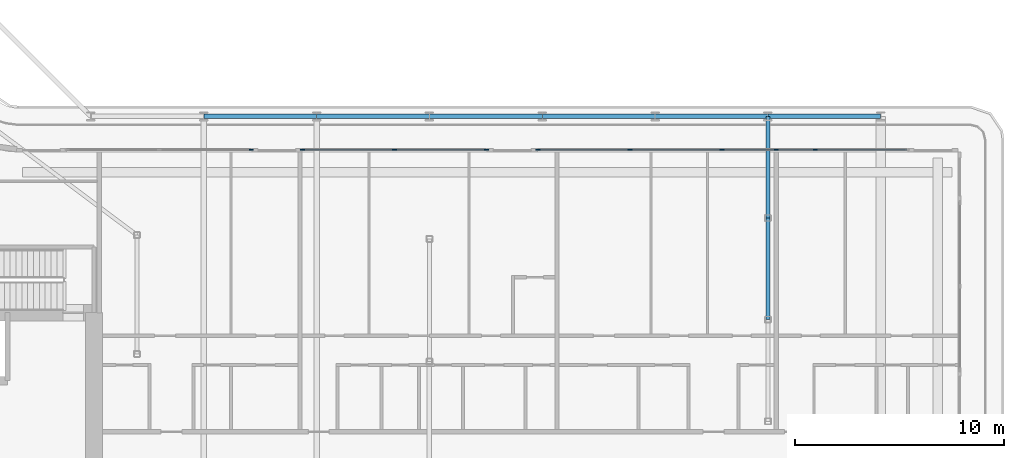
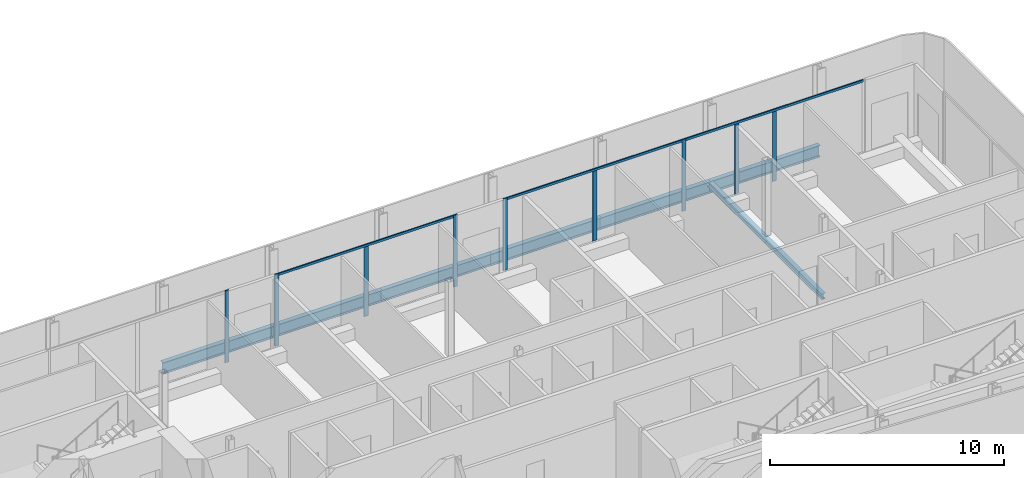
# One storey, part 8 of 29: 12 members, 8 beams, 4 elements without a shape of their own.
"""IFC4 building model written with IfcOpenShell, lengths in metres."""

from ifc_helpers import new_model, si_unit, direction, frame, origin, origin_2d, place, context, subcontext, project, spatial, rectangle, i_section, extrude, material, layer, layer_set, material_profile, profile_set, type_object, element, aggregate, save


model = new_model("IFC4")

# Units and contexts
model_context = context("Model", 3, precision=1e-05, world=origin(), true_north=direction((0.0, 1.0)))
body_context = subcontext(model_context, "Body", "Model", "MODEL_VIEW")
ifc_project = project(units=[si_unit("LENGTHUNIT", "METRE"), si_unit("AREAUNIT", "SQUARE_METRE"), si_unit("VOLUMEUNIT", "CUBIC_METRE"), si_unit("PLANEANGLEUNIT", "RADIAN"), si_unit("MASSUNIT", "GRAM", prefix="KILO")], contexts=[model_context])

# Site, building, storey
site_placement = place(None, origin())
site = spatial("IfcSite", under=ifc_project, at=site_placement, CompositionType="ELEMENT")
building_placement = place(site_placement, origin())
building = spatial("IfcBuilding", under=site, at=building_placement, Name="Kheshtan School and Residences Tower", CompositionType="ELEMENT")
storey_placement = place(building_placement, frame((0.0, 0.0, 168.199951171875)))
storey = spatial("IfcBuildingStorey", under=building, at=storey_placement, Name="L39", CompositionType="ELEMENT", Elevation=168.199951171875)

# Beams
ifc_material_1 = material(Name="Steel ASTM A992 Grade 50", Category="steel")
ifc_material_profile_1 = material_profile(ifc_material_1, i_section(OverallWidth=0.202880859375, OverallDepth=0.302978515625, WebThickness=0.007568359375, FlangeThickness=0.01318359375, FilletRadius=0.009033203125, at=origin_2d()), Name="W310x60")
ifc_profile_set_1 = profile_set([ifc_material_profile_1], Name="Steel ASTM A992 Grade 50")
beam_type_1 = type_object("IfcBeamType", Name="Beam FB1 W310x60 ASTM A992 Grade 50", PredefinedType="BEAM", material=ifc_profile_set_1)
for number, where, z_axis, x_axis, name in (
    (1, (85.39990234375, 45.60009765625, -0.301513671875), (0.0, -1.0, 0.0), (1.0, 0.0, 0.0), "Floor beam C067"),
    (2, (85.39990234375, 40.735107421875, -0.301513671875), (0.0, -1.0, 0.0), (1.0, 0.0, 0.0), "Floor beam IC"),
):
    element("IfcBeam", number, at=place(storey_placement, frame(where, z_axis=z_axis, x_axis=x_axis)), inside=storey, type_object=beam_type_1, Name=name, PredefinedType="BEAM", context=body_context, shape_type="SweptSolid", body=[
        extrude(i_section(OverallWidth=0.202880859375, OverallDepth=0.302978515625, WebThickness=0.007568359375, FlangeThickness=0.01318359375, FilletRadius=0.009033203125, at=origin_2d()), origin(), (0.0, 0.0, 1.0), 4.864990234375),
    ])
ifc_material_profile_2 = material_profile(ifc_material_1, i_section(OverallWidth=0.22802734375, OverallDepth=0.60302734375, WebThickness=0.010498046875, FlangeThickness=0.014892578125, FilletRadius=0.013427734375, at=origin_2d()), Name="W610x101")
ifc_profile_set_2 = profile_set([ifc_material_profile_2], Name="Steel ASTM A992 Grade 50")
beam_type_2 = type_object("IfcBeamType", Name="Beam SP2 W610x101 ASTM A992 Grade 50", PredefinedType="BEAM", material=ifc_profile_set_2)
beam_1_placement = place(storey_placement, frame((58.39990234375, 45.60009765625, -0.451416015625), z_axis=(1.0, 0.0, 0.0), x_axis=(0.0, 1.0, 0.0)))
element("IfcBeam", 3, at=beam_1_placement, inside=storey, type_object=beam_type_2, Name="Spandrel beam C062-C063", PredefinedType="BEAM", context=body_context, shape_type="SweptSolid", body=[
    extrude(i_section(OverallWidth=0.22802734375, OverallDepth=0.60302734375, WebThickness=0.010498046875, FlangeThickness=0.014892578125, FilletRadius=0.013427734375, at=origin_2d()), origin(), (0.0, 0.0, 1.0), 5.400146484375),
])
beam_2_placement = place(storey_placement, frame((63.800048828125, 45.60009765625, -0.451416015625), z_axis=(1.0, 0.0, 0.0), x_axis=(0.0, 1.0, 0.0)))
element("IfcBeam", 4, at=beam_2_placement, inside=storey, type_object=beam_type_2, Name="Spandrel beam C063-C064", PredefinedType="BEAM", context=body_context, shape_type="SweptSolid", body=[
    extrude(i_section(OverallWidth=0.22802734375, OverallDepth=0.60302734375, WebThickness=0.010498046875, FlangeThickness=0.014892578125, FilletRadius=0.013427734375, at=origin_2d()), origin(), (0.0, 0.0, 1.0), 5.39990234375),
])
beam_3_placement = place(storey_placement, frame((69.199951171875, 45.60009765625, -0.451416015625), z_axis=(1.0, 0.0, 0.0), x_axis=(0.0, 1.0, 0.0)))
element("IfcBeam", 5, at=beam_3_placement, inside=storey, type_object=beam_type_2, Name="Spandrel beam C064-C065", PredefinedType="BEAM", context=body_context, shape_type="SweptSolid", body=[
    extrude(i_section(OverallWidth=0.22802734375, OverallDepth=0.60302734375, WebThickness=0.010498046875, FlangeThickness=0.014892578125, FilletRadius=0.013427734375, at=origin_2d()), origin(), (0.0, 0.0, 1.0), 5.400146484375),
])
for number, where, z_axis, x_axis, name in (
    (6, (74.60009765625, 45.60009765625, -0.451416015625), (1.0, 0.0, 0.0), (0.0, 1.0, 0.0), "Spandrel beam C065-C066"),
    (7, (80.0, 45.60009765625, -0.451416015625), (1.0, 0.0, 0.0), (0.0, 1.0, 0.0), "Spandrel beam C066-C067"),
):
    element("IfcBeam", number, at=place(storey_placement, frame(where, z_axis=z_axis, x_axis=x_axis)), inside=storey, type_object=beam_type_2, Name=name, PredefinedType="BEAM", context=body_context, shape_type="SweptSolid", body=[
        extrude(i_section(OverallWidth=0.22802734375, OverallDepth=0.60302734375, WebThickness=0.010498046875, FlangeThickness=0.014892578125, FilletRadius=0.013427734375, at=origin_2d()), origin(), (0.0, 0.0, 1.0), 5.39990234375),
    ])
beam_4_placement = place(storey_placement, frame((85.39990234375, 45.60009765625, -0.451416015625), z_axis=(1.0, 0.0, 0.0), x_axis=(0.0, 1.0, 0.0)))
element("IfcBeam", 8, at=beam_4_placement, inside=storey, type_object=beam_type_2, Name="Spandrel beam C067-C068", PredefinedType="BEAM", context=body_context, shape_type="SweptSolid", body=[
    extrude(i_section(OverallWidth=0.22802734375, OverallDepth=0.60302734375, WebThickness=0.010498046875, FlangeThickness=0.014892578125, FilletRadius=0.013427734375, at=origin_2d()), origin(), (0.0, 0.0, 1.0), 5.400146484375),
])

# Curtain wall, member
ifc_material_2 = material(Name="Clear low-e glass in thermally broken aluminium frame", Category="aluminium")
ifc_layer = layer(ifc_material_2, 0.199951171875)
ifc_layer_set = layer_set([ifc_layer], Name="Curtain wall CW-L")
curtain_wall_type = type_object("IfcCurtainWallType", Name="Curtain wall CW-L", PredefinedType="NOTDEFINED", material=ifc_layer_set)
curtain_wall_1_placement = place(storey_placement, origin())
curtain_wall_1 = element("IfcCurtainWall", 9, at=curtain_wall_1_placement, inside=storey, type_object=curtain_wall_type, Name="Curtain wall CWL12f", PredefinedType="NOTDEFINED")
ifc_material_3 = material(Name="Thermally broken aluminium, dark bronze anodised", Category="aluminium")
ifc_material_profile_3 = material_profile(ifc_material_3, rectangle(XDim=0.06005859375, YDim=0.199951171875, at=origin_2d()), Name="CW-L mullion 60x200")
ifc_profile_set_3 = profile_set([ifc_material_profile_3], Name="Thermally broken aluminium, dark bronze anodised")
member_type_1 = type_object("IfcMemberType", Name="CW-L mullion 60x200", PredefinedType="MULLION", material=ifc_profile_set_3)
member_1_placement = place(storey_placement, frame((60.66748046875, 44.0, 0.0), z_axis=(0.0, 0.0, 1.0), x_axis=(0.0, 1.0, 0.0)))
member_1 = element("IfcMember", 10, at=member_1_placement, type_object=member_type_1, Name="CWL12f mullion 3", PredefinedType="MULLION", context=body_context, shape_type="SweptSolid", body=[
    extrude(rectangle(XDim=0.06005859375, YDim=0.199951171875, at=origin_2d()), origin(), (0.0, 0.0, 1.0), 3.75),
])
aggregate(curtain_wall_1, [member_1])

# Curtain wall, members
curtain_wall_2_placement = place(storey_placement, origin())
curtain_wall_2 = element("IfcCurtainWall", 11, at=curtain_wall_2_placement, inside=storey, type_object=curtain_wall_type, Name="Curtain wall CWL12f", PredefinedType="NOTDEFINED")
member_2_placement = place(storey_placement, frame((63.12744140625, 44.0, 0.0), z_axis=(0.0, 0.0, 1.0), x_axis=(0.0, 1.0, 0.0)))
member_2 = element("IfcMember", 12, at=member_2_placement, type_object=member_type_1, Name="CWL12f mullion 1", PredefinedType="MULLION", context=body_context, shape_type="SweptSolid", body=[
    extrude(rectangle(XDim=0.06005859375, YDim=0.199951171875, at=origin_2d()), origin(), (0.0, 0.0, 1.0), 3.75),
])
member_3_placement = place(storey_placement, frame((67.53125, 44.0, 0.0), z_axis=(0.0, 0.0, 1.0), x_axis=(0.0, 1.0, 0.0)))
member_3 = element("IfcMember", 13, at=member_3_placement, type_object=member_type_1, Name="CWL12f mullion 2", PredefinedType="MULLION", context=body_context, shape_type="SweptSolid", body=[
    extrude(rectangle(XDim=0.06005859375, YDim=0.199951171875, at=origin_2d()), origin(), (0.0, 0.0, 1.0), 3.630126953125),
])
member_4_placement = place(storey_placement, frame((71.93505859375, 44.0, 0.0), z_axis=(0.0, 0.0, 1.0), x_axis=(0.0, 1.0, 0.0)))
member_4 = element("IfcMember", 14, at=member_4_placement, type_object=member_type_1, Name="CWL12f mullion 3", PredefinedType="MULLION", context=body_context, shape_type="SweptSolid", body=[
    extrude(rectangle(XDim=0.06005859375, YDim=0.199951171875, at=origin_2d()), origin(), (0.0, 0.0, 1.0), 3.75),
])

curtain_wall_3_placement = place(storey_placement, origin())
curtain_wall_3 = element("IfcCurtainWall", 15, at=curtain_wall_3_placement, inside=storey, type_object=curtain_wall_type, Name="Curtain wall CWL12f", PredefinedType="NOTDEFINED")
member_5_placement = place(storey_placement, frame((74.39501953125, 44.0, 0.0), z_axis=(0.0, 0.0, 1.0), x_axis=(0.0, 1.0, 0.0)))
member_5 = element("IfcMember", 16, at=member_5_placement, type_object=member_type_1, Name="CWL12f mullion 1", PredefinedType="MULLION", context=body_context, shape_type="SweptSolid", body=[
    extrude(rectangle(XDim=0.06005859375, YDim=0.199951171875, at=origin_2d()), origin(), (0.0, 0.0, 1.0), 3.75),
])
member_6_placement = place(storey_placement, frame((78.798828125, 44.0, 0.0), z_axis=(0.0, 0.0, 1.0), x_axis=(0.0, 1.0, 0.0)))
member_6 = element("IfcMember", 17, at=member_6_placement, type_object=member_type_1, Name="CWL12f mullion 2", PredefinedType="MULLION", context=body_context, shape_type="SweptSolid", body=[
    extrude(rectangle(XDim=0.06005859375, YDim=0.199951171875, at=origin_2d()), origin(), (0.0, 0.0, 1.0), 3.630126953125),
])
member_7_placement = place(storey_placement, frame((83.202392578125, 44.0, 0.0), z_axis=(0.0, 0.0, 1.0), x_axis=(0.0, 1.0, 0.0)))
member_7 = element("IfcMember", 18, at=member_7_placement, type_object=member_type_1, Name="CWL12f mullion 3", PredefinedType="MULLION", context=body_context, shape_type="SweptSolid", body=[
    extrude(rectangle(XDim=0.06005859375, YDim=0.199951171875, at=origin_2d()), origin(), (0.0, 0.0, 1.0), 3.75),
])

curtain_wall_4_placement = place(storey_placement, origin())
curtain_wall_4 = element("IfcCurtainWall", 19, at=curtain_wall_4_placement, inside=storey, type_object=curtain_wall_type, Name="Curtain wall CWL12y", PredefinedType="NOTDEFINED")
member_8_placement = place(storey_placement, frame((85.800048828125, 44.0, 0.0), z_axis=(0.0, 0.0, 1.0), x_axis=(0.0, 1.0, 0.0)))
member_8 = element("IfcMember", 20, at=member_8_placement, type_object=member_type_1, Name="CWL12y mullion 2", PredefinedType="MULLION", context=body_context, shape_type="SweptSolid", body=[
    extrude(rectangle(XDim=0.06005859375, YDim=0.199951171875, at=origin_2d()), origin(), (0.0, 0.0, 1.0), 3.630126953125),
])
member_9_placement = place(storey_placement, frame((87.666259765625, 44.0, 0.0), z_axis=(0.0, 0.0, 1.0), x_axis=(0.0, 1.0, 0.0)))
member_9 = element("IfcMember", 21, at=member_9_placement, type_object=member_type_1, Name="CWL12y mullion 3", PredefinedType="MULLION", context=body_context, shape_type="SweptSolid", body=[
    extrude(rectangle(XDim=0.06005859375, YDim=0.199951171875, at=origin_2d()), origin(), (0.0, 0.0, 1.0), 3.630126953125),
])

# Member
ifc_material_profile_4 = material_profile(ifc_material_3, rectangle(XDim=0.06005859375, YDim=0.1201171875, at=origin_2d()), Name="CW-L transom 60x120")
ifc_profile_set_4 = profile_set([ifc_material_profile_4], Name="Thermally broken aluminium, dark bronze anodised")
member_type_2 = type_object("IfcMemberType", Name="CW-L transom 60x120", PredefinedType="USERDEFINED", material=ifc_profile_set_4)
member_10_placement = place(storey_placement, frame((63.157470703125, 44.0, 3.68994140625), z_axis=(1.0, 0.0, 0.0), x_axis=(0.0, 1.0, 0.0)))
member_10 = element("IfcMember", 22, at=member_10_placement, type_object=member_type_2, Name="CWL12f transom 1", ObjectType="TRANSOM", PredefinedType="USERDEFINED", context=body_context, shape_type="SweptSolid", body=[
    extrude(rectangle(XDim=0.06005859375, YDim=0.1201171875, at=origin_2d()), origin(), (0.0, 0.0, 1.0), 8.74755859375),
])

aggregate(curtain_wall_2, [member_2, member_3, member_4, member_10])

member_11_placement = place(storey_placement, frame((74.425048828125, 44.0, 3.68994140625), z_axis=(1.0, 0.0, 0.0), x_axis=(0.0, 1.0, 0.0)))
member_11 = element("IfcMember", 23, at=member_11_placement, type_object=member_type_2, Name="CWL12f transom 1", ObjectType="TRANSOM", PredefinedType="USERDEFINED", context=body_context, shape_type="SweptSolid", body=[
    extrude(rectangle(XDim=0.06005859375, YDim=0.1201171875, at=origin_2d()), origin(), (0.0, 0.0, 1.0), 8.74755859375),
])

aggregate(curtain_wall_3, [member_5, member_6, member_7, member_11])

member_12_placement = place(storey_placement, frame((83.232421875, 44.0, 3.68994140625), z_axis=(1.0, 0.0, 0.0), x_axis=(0.0, 1.0, 0.0)))
member_12 = element("IfcMember", 24, at=member_12_placement, type_object=member_type_2, Name="CWL12y transom 1", ObjectType="TRANSOM", PredefinedType="USERDEFINED", context=body_context, shape_type="SweptSolid", body=[
    extrude(rectangle(XDim=0.06005859375, YDim=0.1201171875, at=origin_2d()), origin(), (0.0, 0.0, 1.0), 8.8076171875),
])

aggregate(curtain_wall_4, [member_8, member_9, member_12])

save(model, "model.ifc")
